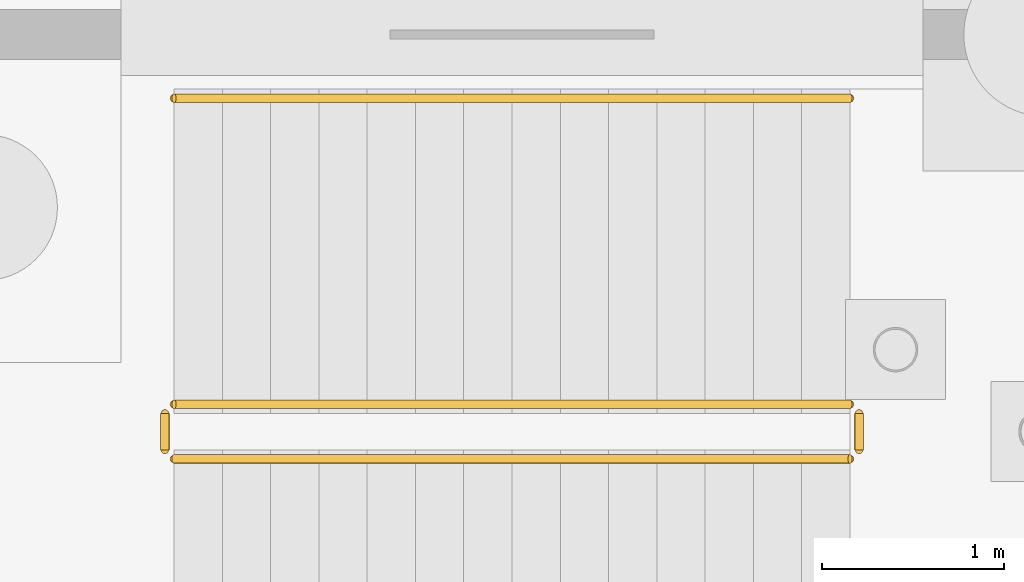
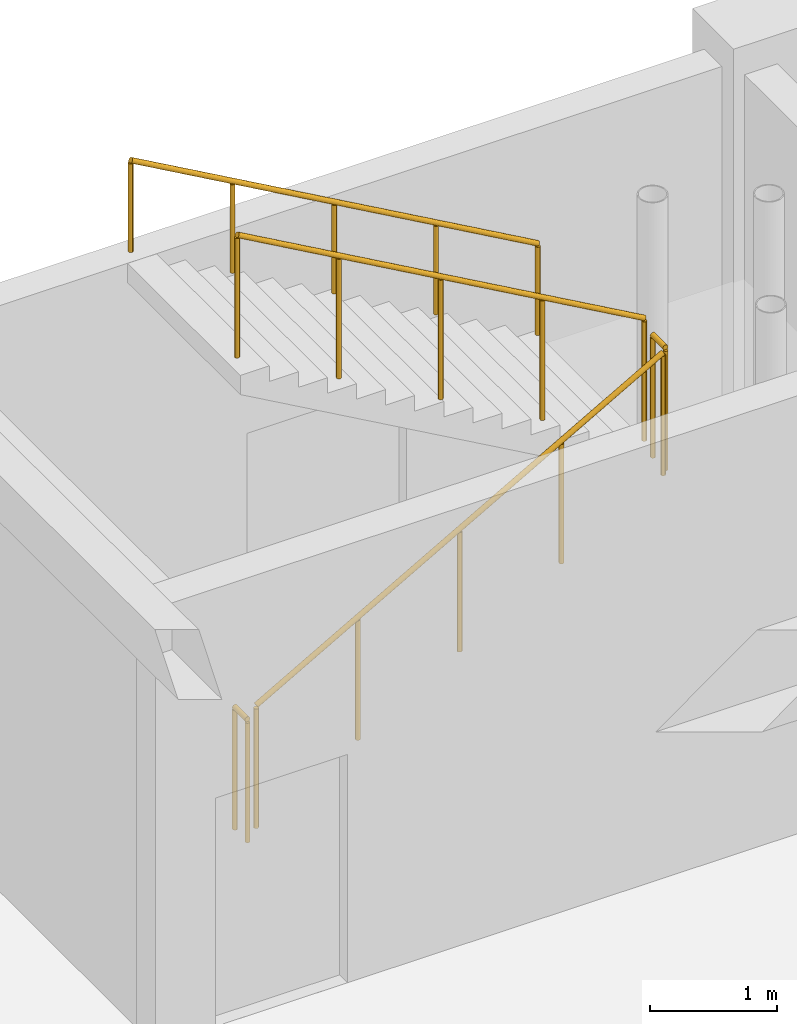
# One storey, part 159 of 166: 5 railings.
"""IFC4 building model written with IfcOpenShell, lengths in metres."""

from ifc_helpers import new_model, si_unit, direction, frame, origin, origin_2d, place, context, subcontext, project, spatial, circle, extrude, material, type_object, element, save


model = new_model("IFC4")

# Units and contexts
model_context = context("Model", 3, precision=1e-05, world=origin(), true_north=direction((0.0, 1.0)))
body_context = subcontext(model_context, "Body", "Model", "MODEL_VIEW")
ifc_project = project(units=[si_unit("LENGTHUNIT", "METRE"), si_unit("AREAUNIT", "SQUARE_METRE"), si_unit("VOLUMEUNIT", "CUBIC_METRE"), si_unit("PLANEANGLEUNIT", "RADIAN"), si_unit("MASSUNIT", "GRAM", prefix="KILO")], contexts=[model_context])

# Site, building, storey
site_placement = place(None, origin())
site = spatial("IfcSite", under=ifc_project, at=site_placement, CompositionType="ELEMENT")
building_placement = place(site_placement, origin())
building = spatial("IfcBuilding", under=site, at=building_placement, Name="Kharva Crest Polytechnic", CompositionType="ELEMENT")
storey_placement = place(building_placement, origin())
storey = spatial("IfcBuildingStorey", under=building, at=storey_placement, Name="L00", CompositionType="ELEMENT", Elevation=0.0)

# Railings
ifc_material_1 = material(Name="Anodised aluminium", Category="aluminium")
railing_type_1 = type_object("IfcRailingType", Name="RL-STAIR-GUARD-1200", PredefinedType="GUARDRAIL", material=ifc_material_1)
railing_1_placement = place(storey_placement, frame((58.090087890625, 119.669921875, 0.14990234375)))
element("IfcRailing", 1, at=railing_1_placement, inside=storey, type_object=railing_type_1, Name="L00 ST-03 stair guard 1", PredefinedType="GUARDRAIL", context=body_context, shape_type="SweptSolid", body=[
    extrude(circle(Radius=0.02392578125, at=origin_2d()), frame((0.0, 0.0, 1.17578125), z_axis=(0.870244811389, 0.0, 0.492619496418), x_axis=(0.0, 1.0, 0.0)), (0.0, 0.0, 1.0), 4.26318359375),
    extrude(circle(Radius=0.02099609375, at=origin_2d()), origin(), (0.0, 0.0, 1.0), 1.15185546875),
    extrude(circle(Radius=0.02099609375, at=origin_2d()), frame((0.927490234375, 0.0, 0.52490234375)), (0.0, 0.0, 1.0), 1.15185546875),
    extrude(circle(Radius=0.02099609375, at=origin_2d()), frame((1.85498046875, 0.0, 1.050048828125)), (0.0, 0.0, 1.0), 1.15185546875),
    extrude(circle(Radius=0.02099609375, at=origin_2d()), frame((2.782470703125, 0.0, 1.5751953125)), (0.0, 0.0, 1.0), 1.15185546875),
    extrude(circle(Radius=0.02099609375, at=origin_2d()), frame((3.7099609375, 0.0, 2.10009765625)), (0.0, 0.0, 1.0), 1.15185546875),
])
railing_2_placement = place(storey_placement, frame((61.85009765625, 119.719970703125, 2.25)))
element("IfcRailing", 2, at=railing_2_placement, inside=storey, type_object=railing_type_1, Name="L00 ST-03 stair guard 2", PredefinedType="GUARDRAIL", context=body_context, shape_type="SweptSolid", body=[
    extrude(circle(Radius=0.02392578125, at=origin_2d()), frame((0.0, 0.0, 1.17578125), z_axis=(0.0, 1.0, 0.0), x_axis=(-1.0, 0.0, 0.0)), (0.0, 0.0, 1.0), 0.199951171875),
    extrude(circle(Radius=0.02099609375, at=origin_2d()), origin(), (0.0, 0.0, 1.0), 1.15185546875),
    extrude(circle(Radius=0.02099609375, at=origin_2d()), frame((0.0, 0.199951171875, 0.0)), (0.0, 0.0, 1.0), 1.15185546875),
])
railing_3_placement = place(storey_placement, frame((61.800048828125, 119.969970703125, 2.39990234375)))
element("IfcRailing", 3, at=railing_3_placement, inside=storey, type_object=railing_type_1, Name="L00 ST-03 stair guard 3", PredefinedType="GUARDRAIL", context=body_context, shape_type="SweptSolid", body=[
    extrude(circle(Radius=0.02392578125, at=origin_2d()), frame((0.0, 0.0, 1.17578125), z_axis=(-0.870244811389, 0.0, 0.492619496418), x_axis=(0.0, -1.0, 0.0)), (0.0, 0.0, 1.0), 4.26318359375),
    extrude(circle(Radius=0.02099609375, at=origin_2d()), origin(), (0.0, 0.0, 1.0), 1.15185546875),
    extrude(circle(Radius=0.02099609375, at=origin_2d()), frame((-0.927490234375, 0.0, 0.52490234375)), (0.0, 0.0, 1.0), 1.15185546875),
    extrude(circle(Radius=0.02099609375, at=origin_2d()), frame((-1.85498046875, 0.0, 1.050048828125)), (0.0, 0.0, 1.0), 1.15185546875),
    extrude(circle(Radius=0.02099609375, at=origin_2d()), frame((-2.782470703125, 0.0, 1.5751953125)), (0.0, 0.0, 1.0), 1.15185546875),
    extrude(circle(Radius=0.02099609375, at=origin_2d()), frame((-3.7099609375, 0.0, 2.10009765625)), (0.0, 0.0, 1.0), 1.15185546875),
])
railing_4_placement = place(storey_placement, frame((58.0400390625, 119.719970703125, 0.0)))
element("IfcRailing", 4, at=railing_4_placement, inside=storey, type_object=railing_type_1, Name="L00 ST-03 stair guard 4", PredefinedType="GUARDRAIL", context=body_context, shape_type="SweptSolid", body=[
    extrude(circle(Radius=0.02392578125, at=origin_2d()), frame((0.0, 0.0, 1.17578125), z_axis=(0.0, 1.0, 0.0), x_axis=(-1.0, 0.0, 0.0)), (0.0, 0.0, 1.0), 0.199951171875),
    extrude(circle(Radius=0.02099609375, at=origin_2d()), origin(), (0.0, 0.0, 1.0), 1.15185546875),
    extrude(circle(Radius=0.02099609375, at=origin_2d()), frame((0.0, 0.199951171875, 0.0)), (0.0, 0.0, 1.0), 1.15185546875),
])
ifc_material_2 = material(Name="Teak timber", Category="wood")
railing_type_2 = type_object("IfcRailingType", Name="RL-STAIR-HAND-900", PredefinedType="HANDRAIL", material=ifc_material_2)
railing_5_placement = place(storey_placement, frame((61.800048828125, 121.64990234375, 2.39990234375)))
element("IfcRailing", 5, at=railing_5_placement, inside=storey, type_object=railing_type_2, Name="L00 ST-03 stair handrail 2", PredefinedType="HANDRAIL", context=body_context, shape_type="SweptSolid", body=[
    extrude(circle(Radius=0.02392578125, at=origin_2d()), frame((0.0, 0.0, 0.8759765625), z_axis=(-0.870244811389, 0.0, 0.492619496418), x_axis=(0.0, -1.0, 0.0)), (0.0, 0.0, 1.0), 4.26318359375),
    extrude(circle(Radius=0.02099609375, at=origin_2d()), origin(), (0.0, 0.0, 1.0), 0.851806640625),
    extrude(circle(Radius=0.02099609375, at=origin_2d()), frame((-0.927490234375, 0.0, 0.52490234375)), (0.0, 0.0, 1.0), 0.851806640625),
    extrude(circle(Radius=0.02099609375, at=origin_2d()), frame((-1.85498046875, 0.0, 1.050048828125)), (0.0, 0.0, 1.0), 0.851806640625),
    extrude(circle(Radius=0.02099609375, at=origin_2d()), frame((-2.782470703125, 0.0, 1.5751953125)), (0.0, 0.0, 1.0), 0.851806640625),
    extrude(circle(Radius=0.02099609375, at=origin_2d()), frame((-3.7099609375, 0.0, 2.10009765625)), (0.0, 0.0, 1.0), 0.851806640625),
])

save(model, "model.ifc")
